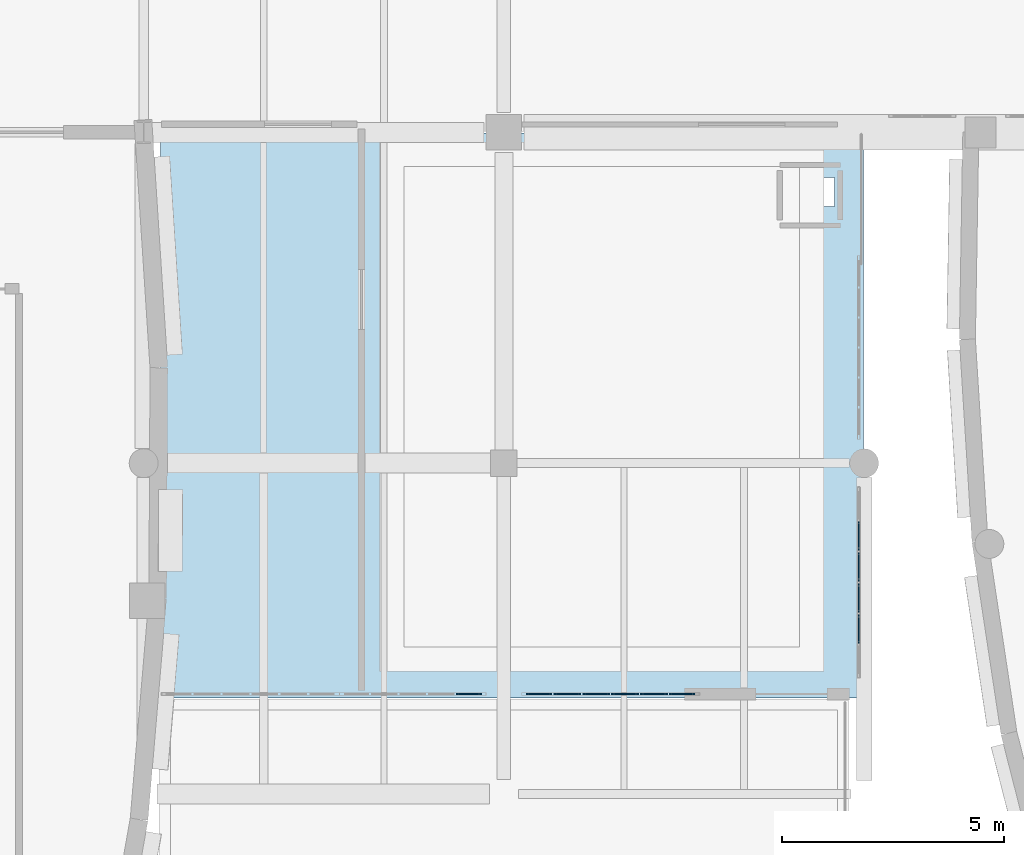
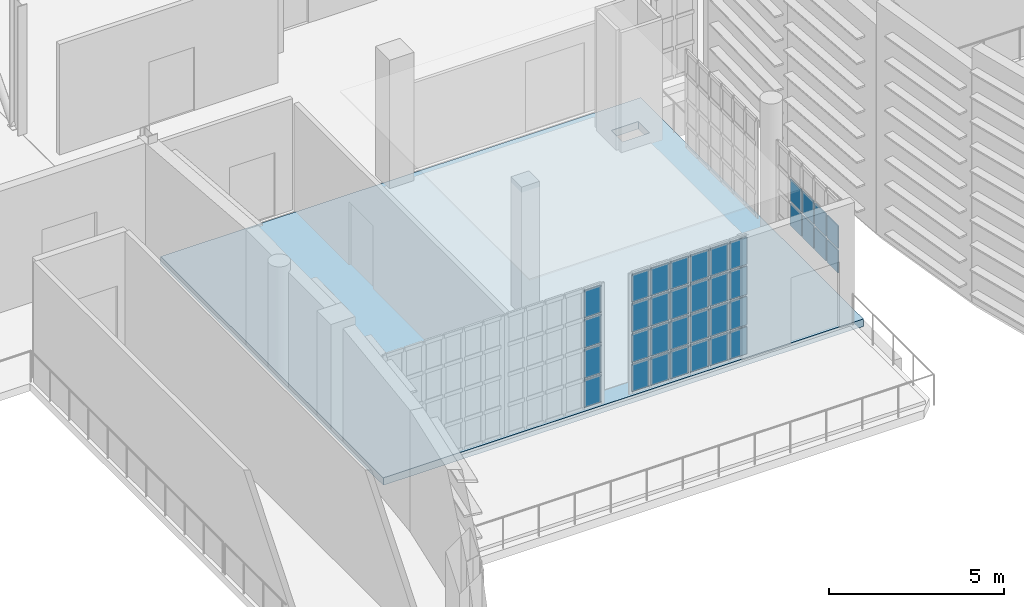
# One storey, part 48 of 73: 36 plates, 1 slab, 3 elements without a shape of their own.
"""IFC4 building model written with IfcOpenShell, lengths in metres."""

from ifc_helpers import new_model, si_unit, direction, frame, origin, origin_2d, place, context, subcontext, project, spatial, polyline, rectangle, outline, extrude, material, layer, layer_set, type_object, element, aggregate, save


model = new_model("IFC4")

# Units and contexts
model_context = context("Model", 3, precision=1e-05, world=origin(), true_north=direction((0.0, 1.0)))
body_context = subcontext(model_context, "Body", "Model", "MODEL_VIEW")
ifc_project = project(units=[si_unit("LENGTHUNIT", "METRE"), si_unit("AREAUNIT", "SQUARE_METRE"), si_unit("VOLUMEUNIT", "CUBIC_METRE"), si_unit("PLANEANGLEUNIT", "RADIAN"), si_unit("MASSUNIT", "GRAM", prefix="KILO")], contexts=[model_context])

# Site, building, storey
site_placement = place(None, origin())
site = spatial("IfcSite", under=ifc_project, at=site_placement, CompositionType="ELEMENT")
building_placement = place(site_placement, origin())
building = spatial("IfcBuilding", under=site, at=building_placement, Name="Kaelora Sail Theatre", CompositionType="ELEMENT")
storey_placement = place(building_placement, frame((0.0, 0.0, 10.199951171875)))
storey = spatial("IfcBuildingStorey", under=building, at=storey_placement, Name="L02", CompositionType="ELEMENT", Elevation=10.199951171875)

# Curtain wall, plates
ifc_material_1 = material(Name="Anodised aluminium and solar-control low-E IGU", Category="aluminium")
curtain_wall_type = type_object("IfcCurtainWallType", Name="ARC-CW-CW-BRG", PredefinedType="NOTDEFINED", material=ifc_material_1)
curtain_wall_1_placement = place(storey_placement, origin())
curtain_wall_1 = element("IfcCurtainWall", 1, at=curtain_wall_1_placement, inside=storey, type_object=curtain_wall_type, Name="West Interstitial Sail Foyer Curtain Wall L02-02", PredefinedType="NOTDEFINED")
ifc_material_2 = material(Name="Solar-control laminated low-E glass", Category="glass")
ifc_layer_1 = layer(ifc_material_2, 0.031982421875)
ifc_layer_set_1 = layer_set([ifc_layer_1], Name="Solar-control laminated low-E glass")
plate_type = type_object("IfcPlateType", Name="ARC-CW-PNL", PredefinedType="CURTAIN_PANEL", material=ifc_layer_set_1)
plate_1_placement = place(storey_placement, frame((65.514892578125, 48.389892578125, 0.070068359375), z_axis=(0.0, 0.0, 1.0), x_axis=(1.0, 0.0, 0.0)))
plate_1 = element("IfcPlate", 2, at=plate_1_placement, type_object=plate_type, Name="CW-BRG panel 5.1", PredefinedType="CURTAIN_PANEL", context=body_context, shape_type="SweptSolid", body=[
    extrude(rectangle(XDim=0.550048828125, YDim=0.031982421875, at=origin_2d()), origin(), (0.0, 0.0, 1.0), 0.9462890625),
])
plate_2_placement = place(storey_placement, frame((65.514892578125, 48.389892578125, 1.08642578125), z_axis=(0.0, 0.0, 1.0), x_axis=(1.0, 0.0, 0.0)))
plate_2 = element("IfcPlate", 3, at=plate_2_placement, type_object=plate_type, Name="CW-BRG panel 5.2", PredefinedType="CURTAIN_PANEL", context=body_context, shape_type="SweptSolid", body=[
    extrude(rectangle(XDim=0.550048828125, YDim=0.031982421875, at=origin_2d()), origin(), (0.0, 0.0, 1.0), 0.981201171875),
])
plate_3_placement = place(storey_placement, frame((65.514892578125, 48.389892578125, 2.1376953125), z_axis=(0.0, 0.0, 1.0), x_axis=(1.0, 0.0, 0.0)))
plate_3 = element("IfcPlate", 4, at=plate_3_placement, type_object=plate_type, Name="CW-BRG panel 5.3", PredefinedType="CURTAIN_PANEL", context=body_context, shape_type="SweptSolid", body=[
    extrude(rectangle(XDim=0.550048828125, YDim=0.031982421875, at=origin_2d()), origin(), (0.0, 0.0, 1.0), 0.981201171875),
])
plate_4_placement = place(storey_placement, frame((65.514892578125, 48.389892578125, 3.188720703125), z_axis=(0.0, 0.0, 1.0), x_axis=(1.0, 0.0, 0.0)))
plate_4 = element("IfcPlate", 5, at=plate_4_placement, type_object=plate_type, Name="CW-BRG panel 5.4", PredefinedType="CURTAIN_PANEL", context=body_context, shape_type="SweptSolid", body=[
    extrude(rectangle(XDim=0.550048828125, YDim=0.031982421875, at=origin_2d()), origin(), (0.0, 0.0, 1.0), 0.9462890625),
])
aggregate(curtain_wall_1, [plate_1, plate_2, plate_3, plate_4])

curtain_wall_2_placement = place(storey_placement, origin())
curtain_wall_2 = element("IfcCurtainWall", 6, at=curtain_wall_2_placement, inside=storey, type_object=curtain_wall_type, Name="West Interstitial Sail Foyer Curtain Wall L02-03", PredefinedType="NOTDEFINED")
plate_5_placement = place(storey_placement, frame((67.090087890625, 48.389892578125, 0.070068359375), z_axis=(0.0, 0.0, 1.0), x_axis=(1.0, 0.0, 0.0)))
plate_5 = element("IfcPlate", 7, at=plate_5_placement, type_object=plate_type, Name="CW-BRG panel 1.1", PredefinedType="CURTAIN_PANEL", context=body_context, shape_type="SweptSolid", body=[
    extrude(rectangle(XDim=0.56005859375, YDim=0.031982421875, at=origin_2d()), origin(), (0.0, 0.0, 1.0), 0.9462890625),
])
plate_6_placement = place(storey_placement, frame((67.090087890625, 48.389892578125, 1.08642578125), z_axis=(0.0, 0.0, 1.0), x_axis=(1.0, 0.0, 0.0)))
plate_6 = element("IfcPlate", 8, at=plate_6_placement, type_object=plate_type, Name="CW-BRG panel 1.2", PredefinedType="CURTAIN_PANEL", context=body_context, shape_type="SweptSolid", body=[
    extrude(rectangle(XDim=0.56005859375, YDim=0.031982421875, at=origin_2d()), origin(), (0.0, 0.0, 1.0), 0.981201171875),
])
plate_7_placement = place(storey_placement, frame((67.090087890625, 48.389892578125, 2.1376953125), z_axis=(0.0, 0.0, 1.0), x_axis=(1.0, 0.0, 0.0)))
plate_7 = element("IfcPlate", 9, at=plate_7_placement, type_object=plate_type, Name="CW-BRG panel 1.3", PredefinedType="CURTAIN_PANEL", context=body_context, shape_type="SweptSolid", body=[
    extrude(rectangle(XDim=0.56005859375, YDim=0.031982421875, at=origin_2d()), origin(), (0.0, 0.0, 1.0), 0.981201171875),
])
plate_8_placement = place(storey_placement, frame((67.090087890625, 48.389892578125, 3.188720703125), z_axis=(0.0, 0.0, 1.0), x_axis=(1.0, 0.0, 0.0)))
plate_8 = element("IfcPlate", 10, at=plate_8_placement, type_object=plate_type, Name="CW-BRG panel 1.4", PredefinedType="CURTAIN_PANEL", context=body_context, shape_type="SweptSolid", body=[
    extrude(rectangle(XDim=0.56005859375, YDim=0.031982421875, at=origin_2d()), origin(), (0.0, 0.0, 1.0), 0.9462890625),
])
plate_9_placement = place(storey_placement, frame((67.72509765625, 48.389892578125, 0.070068359375), z_axis=(0.0, 0.0, 1.0), x_axis=(1.0, 0.0, 0.0)))
plate_9 = element("IfcPlate", 11, at=plate_9_placement, type_object=plate_type, Name="CW-BRG panel 2.1", PredefinedType="CURTAIN_PANEL", context=body_context, shape_type="SweptSolid", body=[
    extrude(rectangle(XDim=0.590087890625, YDim=0.031982421875, at=origin_2d()), origin(), (0.0, 0.0, 1.0), 0.9462890625),
])
plate_10_placement = place(storey_placement, frame((67.72509765625, 48.389892578125, 1.08642578125), z_axis=(0.0, 0.0, 1.0), x_axis=(1.0, 0.0, 0.0)))
plate_10 = element("IfcPlate", 12, at=plate_10_placement, type_object=plate_type, Name="CW-BRG panel 2.2", PredefinedType="CURTAIN_PANEL", context=body_context, shape_type="SweptSolid", body=[
    extrude(rectangle(XDim=0.590087890625, YDim=0.031982421875, at=origin_2d()), origin(), (0.0, 0.0, 1.0), 0.981201171875),
])
plate_11_placement = place(storey_placement, frame((67.72509765625, 48.389892578125, 2.1376953125), z_axis=(0.0, 0.0, 1.0), x_axis=(1.0, 0.0, 0.0)))
plate_11 = element("IfcPlate", 13, at=plate_11_placement, type_object=plate_type, Name="CW-BRG panel 2.3", PredefinedType="CURTAIN_PANEL", context=body_context, shape_type="SweptSolid", body=[
    extrude(rectangle(XDim=0.590087890625, YDim=0.031982421875, at=origin_2d()), origin(), (0.0, 0.0, 1.0), 0.981201171875),
])
plate_12_placement = place(storey_placement, frame((67.72509765625, 48.389892578125, 3.188720703125), z_axis=(0.0, 0.0, 1.0), x_axis=(1.0, 0.0, 0.0)))
plate_12 = element("IfcPlate", 14, at=plate_12_placement, type_object=plate_type, Name="CW-BRG panel 2.4", PredefinedType="CURTAIN_PANEL", context=body_context, shape_type="SweptSolid", body=[
    extrude(rectangle(XDim=0.590087890625, YDim=0.031982421875, at=origin_2d()), origin(), (0.0, 0.0, 1.0), 0.9462890625),
])
plate_13_placement = place(storey_placement, frame((68.375, 48.389892578125, 0.070068359375), z_axis=(0.0, 0.0, 1.0), x_axis=(1.0, 0.0, 0.0)))
plate_13 = element("IfcPlate", 15, at=plate_13_placement, type_object=plate_type, Name="CW-BRG panel 3.1", PredefinedType="CURTAIN_PANEL", context=body_context, shape_type="SweptSolid", body=[
    extrude(rectangle(XDim=0.590087890625, YDim=0.031982421875, at=origin_2d()), origin(), (0.0, 0.0, 1.0), 0.9462890625),
])
plate_14_placement = place(storey_placement, frame((68.375, 48.389892578125, 1.08642578125), z_axis=(0.0, 0.0, 1.0), x_axis=(1.0, 0.0, 0.0)))
plate_14 = element("IfcPlate", 16, at=plate_14_placement, type_object=plate_type, Name="CW-BRG panel 3.2", PredefinedType="CURTAIN_PANEL", context=body_context, shape_type="SweptSolid", body=[
    extrude(rectangle(XDim=0.590087890625, YDim=0.031982421875, at=origin_2d()), origin(), (0.0, 0.0, 1.0), 0.981201171875),
])
plate_15_placement = place(storey_placement, frame((68.375, 48.389892578125, 2.1376953125), z_axis=(0.0, 0.0, 1.0), x_axis=(1.0, 0.0, 0.0)))
plate_15 = element("IfcPlate", 17, at=plate_15_placement, type_object=plate_type, Name="CW-BRG panel 3.3", PredefinedType="CURTAIN_PANEL", context=body_context, shape_type="SweptSolid", body=[
    extrude(rectangle(XDim=0.590087890625, YDim=0.031982421875, at=origin_2d()), origin(), (0.0, 0.0, 1.0), 0.981201171875),
])
plate_16_placement = place(storey_placement, frame((68.375, 48.389892578125, 3.188720703125), z_axis=(0.0, 0.0, 1.0), x_axis=(1.0, 0.0, 0.0)))
plate_16 = element("IfcPlate", 18, at=plate_16_placement, type_object=plate_type, Name="CW-BRG panel 3.4", PredefinedType="CURTAIN_PANEL", context=body_context, shape_type="SweptSolid", body=[
    extrude(rectangle(XDim=0.590087890625, YDim=0.031982421875, at=origin_2d()), origin(), (0.0, 0.0, 1.0), 0.9462890625),
])
plate_17_placement = place(storey_placement, frame((69.02490234375, 48.389892578125, 0.070068359375), z_axis=(0.0, 0.0, 1.0), x_axis=(1.0, 0.0, 0.0)))
plate_17 = element("IfcPlate", 19, at=plate_17_placement, type_object=plate_type, Name="CW-BRG panel 4.1", PredefinedType="CURTAIN_PANEL", context=body_context, shape_type="SweptSolid", body=[
    extrude(rectangle(XDim=0.590087890625, YDim=0.031982421875, at=origin_2d()), origin(), (0.0, 0.0, 1.0), 0.9462890625),
])
plate_18_placement = place(storey_placement, frame((69.02490234375, 48.389892578125, 1.08642578125), z_axis=(0.0, 0.0, 1.0), x_axis=(1.0, 0.0, 0.0)))
plate_18 = element("IfcPlate", 20, at=plate_18_placement, type_object=plate_type, Name="CW-BRG panel 4.2", PredefinedType="CURTAIN_PANEL", context=body_context, shape_type="SweptSolid", body=[
    extrude(rectangle(XDim=0.590087890625, YDim=0.031982421875, at=origin_2d()), origin(), (0.0, 0.0, 1.0), 0.981201171875),
])
plate_19_placement = place(storey_placement, frame((69.02490234375, 48.389892578125, 2.1376953125), z_axis=(0.0, 0.0, 1.0), x_axis=(1.0, 0.0, 0.0)))
plate_19 = element("IfcPlate", 21, at=plate_19_placement, type_object=plate_type, Name="CW-BRG panel 4.3", PredefinedType="CURTAIN_PANEL", context=body_context, shape_type="SweptSolid", body=[
    extrude(rectangle(XDim=0.590087890625, YDim=0.031982421875, at=origin_2d()), origin(), (0.0, 0.0, 1.0), 0.981201171875),
])
plate_20_placement = place(storey_placement, frame((69.02490234375, 48.389892578125, 3.188720703125), z_axis=(0.0, 0.0, 1.0), x_axis=(1.0, 0.0, 0.0)))
plate_20 = element("IfcPlate", 22, at=plate_20_placement, type_object=plate_type, Name="CW-BRG panel 4.4", PredefinedType="CURTAIN_PANEL", context=body_context, shape_type="SweptSolid", body=[
    extrude(rectangle(XDim=0.590087890625, YDim=0.031982421875, at=origin_2d()), origin(), (0.0, 0.0, 1.0), 0.9462890625),
])
plate_21_placement = place(storey_placement, frame((69.675048828125, 48.389892578125, 0.070068359375), z_axis=(0.0, 0.0, 1.0), x_axis=(1.0, 0.0, 0.0)))
plate_21 = element("IfcPlate", 23, at=plate_21_placement, type_object=plate_type, Name="CW-BRG panel 5.1", PredefinedType="CURTAIN_PANEL", context=body_context, shape_type="SweptSolid", body=[
    extrude(rectangle(XDim=0.590087890625, YDim=0.031982421875, at=origin_2d()), origin(), (0.0, 0.0, 1.0), 0.9462890625),
])
plate_22_placement = place(storey_placement, frame((69.675048828125, 48.389892578125, 1.08642578125), z_axis=(0.0, 0.0, 1.0), x_axis=(1.0, 0.0, 0.0)))
plate_22 = element("IfcPlate", 24, at=plate_22_placement, type_object=plate_type, Name="CW-BRG panel 5.2", PredefinedType="CURTAIN_PANEL", context=body_context, shape_type="SweptSolid", body=[
    extrude(rectangle(XDim=0.590087890625, YDim=0.031982421875, at=origin_2d()), origin(), (0.0, 0.0, 1.0), 0.981201171875),
])
plate_23_placement = place(storey_placement, frame((69.675048828125, 48.389892578125, 2.1376953125), z_axis=(0.0, 0.0, 1.0), x_axis=(1.0, 0.0, 0.0)))
plate_23 = element("IfcPlate", 25, at=plate_23_placement, type_object=plate_type, Name="CW-BRG panel 5.3", PredefinedType="CURTAIN_PANEL", context=body_context, shape_type="SweptSolid", body=[
    extrude(rectangle(XDim=0.590087890625, YDim=0.031982421875, at=origin_2d()), origin(), (0.0, 0.0, 1.0), 0.981201171875),
])
plate_24_placement = place(storey_placement, frame((69.675048828125, 48.389892578125, 3.188720703125), z_axis=(0.0, 0.0, 1.0), x_axis=(1.0, 0.0, 0.0)))
plate_24 = element("IfcPlate", 26, at=plate_24_placement, type_object=plate_type, Name="CW-BRG panel 5.4", PredefinedType="CURTAIN_PANEL", context=body_context, shape_type="SweptSolid", body=[
    extrude(rectangle(XDim=0.590087890625, YDim=0.031982421875, at=origin_2d()), origin(), (0.0, 0.0, 1.0), 0.9462890625),
])
plate_25_placement = place(storey_placement, frame((70.31005859375, 48.389892578125, 0.070068359375), z_axis=(0.0, 0.0, 1.0), x_axis=(1.0, 0.0, 0.0)))
plate_25 = element("IfcPlate", 27, at=plate_25_placement, type_object=plate_type, Name="CW-BRG panel 6.1", PredefinedType="CURTAIN_PANEL", context=body_context, shape_type="SweptSolid", body=[
    extrude(rectangle(XDim=0.56005859375, YDim=0.031982421875, at=origin_2d()), origin(), (0.0, 0.0, 1.0), 0.9462890625),
])
plate_26_placement = place(storey_placement, frame((70.31005859375, 48.389892578125, 1.08642578125), z_axis=(0.0, 0.0, 1.0), x_axis=(1.0, 0.0, 0.0)))
plate_26 = element("IfcPlate", 28, at=plate_26_placement, type_object=plate_type, Name="CW-BRG panel 6.2", PredefinedType="CURTAIN_PANEL", context=body_context, shape_type="SweptSolid", body=[
    extrude(rectangle(XDim=0.56005859375, YDim=0.031982421875, at=origin_2d()), origin(), (0.0, 0.0, 1.0), 0.981201171875),
])
plate_27_placement = place(storey_placement, frame((70.31005859375, 48.389892578125, 2.1376953125), z_axis=(0.0, 0.0, 1.0), x_axis=(1.0, 0.0, 0.0)))
plate_27 = element("IfcPlate", 29, at=plate_27_placement, type_object=plate_type, Name="CW-BRG panel 6.3", PredefinedType="CURTAIN_PANEL", context=body_context, shape_type="SweptSolid", body=[
    extrude(rectangle(XDim=0.56005859375, YDim=0.031982421875, at=origin_2d()), origin(), (0.0, 0.0, 1.0), 0.981201171875),
])
plate_28_placement = place(storey_placement, frame((70.31005859375, 48.389892578125, 3.188720703125), z_axis=(0.0, 0.0, 1.0), x_axis=(1.0, 0.0, 0.0)))
plate_28 = element("IfcPlate", 30, at=plate_28_placement, type_object=plate_type, Name="CW-BRG panel 6.4", PredefinedType="CURTAIN_PANEL", context=body_context, shape_type="SweptSolid", body=[
    extrude(rectangle(XDim=0.56005859375, YDim=0.031982421875, at=origin_2d()), origin(), (0.0, 0.0, 1.0), 0.9462890625),
])
aggregate(curtain_wall_2, [plate_5, plate_6, plate_7, plate_8, plate_9, plate_10, plate_11, plate_12, plate_13, plate_14, plate_15, plate_16, plate_17, plate_18, plate_19, plate_20, plate_21, plate_22, plate_23, plate_24, plate_25, plate_26, plate_27, plate_28])

curtain_wall_3_placement = place(storey_placement, origin())
curtain_wall_3 = element("IfcCurtainWall", 31, at=curtain_wall_3_placement, inside=storey, type_object=curtain_wall_type, Name="West Interstitial Foyer East Glazed Return L02-01", PredefinedType="NOTDEFINED")
plate_29_placement = place(storey_placement, frame((74.280029296875, 49.8486328125, 0.88671875), z_axis=(0.0, 0.0, 1.0), x_axis=(0.0, 1.0, 0.0)))
plate_29 = element("IfcPlate", 32, at=plate_29_placement, type_object=plate_type, Name="CW-BRG panel 2.2", PredefinedType="CURTAIN_PANEL", context=body_context, shape_type="SweptSolid", body=[
    extrude(rectangle(XDim=0.63916015625, YDim=0.031982421875, at=origin_2d()), origin(), (0.0, 0.0, 1.0), 0.78173828125),
])
plate_30_placement = place(storey_placement, frame((74.280029296875, 49.8486328125, 1.738525390625), z_axis=(0.0, 0.0, 1.0), x_axis=(0.0, 1.0, 0.0)))
plate_30 = element("IfcPlate", 33, at=plate_30_placement, type_object=plate_type, Name="CW-BRG panel 2.3", PredefinedType="CURTAIN_PANEL", context=body_context, shape_type="SweptSolid", body=[
    extrude(rectangle(XDim=0.63916015625, YDim=0.031982421875, at=origin_2d()), origin(), (0.0, 0.0, 1.0), 0.78173828125),
])
plate_31_placement = place(storey_placement, frame((74.280029296875, 50.5478515625, 0.88671875), z_axis=(0.0, 0.0, 1.0), x_axis=(0.0, 1.0, 0.0)))
plate_31 = element("IfcPlate", 34, at=plate_31_placement, type_object=plate_type, Name="CW-BRG panel 3.2", PredefinedType="CURTAIN_PANEL", context=body_context, shape_type="SweptSolid", body=[
    extrude(rectangle(XDim=0.63916015625, YDim=0.031982421875, at=origin_2d()), origin(), (0.0, 0.0, 1.0), 0.78173828125),
])
plate_32_placement = place(storey_placement, frame((74.280029296875, 50.5478515625, 1.738525390625), z_axis=(0.0, 0.0, 1.0), x_axis=(0.0, 1.0, 0.0)))
plate_32 = element("IfcPlate", 35, at=plate_32_placement, type_object=plate_type, Name="CW-BRG panel 3.3", PredefinedType="CURTAIN_PANEL", context=body_context, shape_type="SweptSolid", body=[
    extrude(rectangle(XDim=0.63916015625, YDim=0.031982421875, at=origin_2d()), origin(), (0.0, 0.0, 1.0), 0.78173828125),
])
plate_33_placement = place(storey_placement, frame((74.280029296875, 51.2470703125, 0.88671875), z_axis=(0.0, 0.0, 1.0), x_axis=(0.0, 1.0, 0.0)))
plate_33 = element("IfcPlate", 36, at=plate_33_placement, type_object=plate_type, Name="CW-BRG panel 4.2", PredefinedType="CURTAIN_PANEL", context=body_context, shape_type="SweptSolid", body=[
    extrude(rectangle(XDim=0.63916015625, YDim=0.031982421875, at=origin_2d()), origin(), (0.0, 0.0, 1.0), 0.78173828125),
])
plate_34_placement = place(storey_placement, frame((74.280029296875, 51.2470703125, 1.738525390625), z_axis=(0.0, 0.0, 1.0), x_axis=(0.0, 1.0, 0.0)))
plate_34 = element("IfcPlate", 37, at=plate_34_placement, type_object=plate_type, Name="CW-BRG panel 4.3", PredefinedType="CURTAIN_PANEL", context=body_context, shape_type="SweptSolid", body=[
    extrude(rectangle(XDim=0.63916015625, YDim=0.031982421875, at=origin_2d()), origin(), (0.0, 0.0, 1.0), 0.78173828125),
])
plate_35_placement = place(storey_placement, frame((74.280029296875, 51.9462890625, 0.88671875), z_axis=(0.0, 0.0, 1.0), x_axis=(0.0, 1.0, 0.0)))
plate_35 = element("IfcPlate", 38, at=plate_35_placement, type_object=plate_type, Name="CW-BRG panel 5.2", PredefinedType="CURTAIN_PANEL", context=body_context, shape_type="SweptSolid", body=[
    extrude(rectangle(XDim=0.63916015625, YDim=0.031982421875, at=origin_2d()), origin(), (0.0, 0.0, 1.0), 0.78173828125),
])
plate_36_placement = place(storey_placement, frame((74.280029296875, 51.9462890625, 1.738525390625), z_axis=(0.0, 0.0, 1.0), x_axis=(0.0, 1.0, 0.0)))
plate_36 = element("IfcPlate", 39, at=plate_36_placement, type_object=plate_type, Name="CW-BRG panel 5.3", PredefinedType="CURTAIN_PANEL", context=body_context, shape_type="SweptSolid", body=[
    extrude(rectangle(XDim=0.63916015625, YDim=0.031982421875, at=origin_2d()), origin(), (0.0, 0.0, 1.0), 0.78173828125),
])
aggregate(curtain_wall_3, [plate_29, plate_30, plate_31, plate_32, plate_33, plate_34, plate_35, plate_36])

# Slab
ifc_material_3 = material(Name="Concrete C40/50", Category="concrete")
ifc_layer_2 = layer(ifc_material_3, 0.260009765625)
ifc_layer_set_2 = layer_set([ifc_layer_2], Name="Concrete C40/50")
slab_type = type_object("IfcSlabType", Name="STR-SLB-SL-FL260", PredefinedType="FLOOR", material=ifc_layer_set_2)
slab_placement = place(storey_placement, frame((0.0, 0.0, -0.260009765625)))
element("IfcSlab", 40, at=slab_placement, inside=storey, type_object=slab_type, Name="Glazed Foyer floor slab FI-WEST (L02)", PredefinedType="FLOOR", context=body_context, shape_type="SweptSolid", body=[
    extrude(outline(polyline([(58.580078125, 48.300048828125), (74.385009765625, 48.300048828125), (74.385009765625, 61.0048828125), (58.580078125, 61.0048828125), (58.580078125, 48.300048828125)]), holes=[polyline([(72.8349609375, 59.35498046875), (73.735107421875, 59.35498046875), (73.735107421875, 60.0048828125), (72.8349609375, 60.0048828125), (72.8349609375, 59.35498046875)])]), origin(), (0.0, 0.0, 1.0), 0.260009765625),
])

save(model, "model.ifc")
